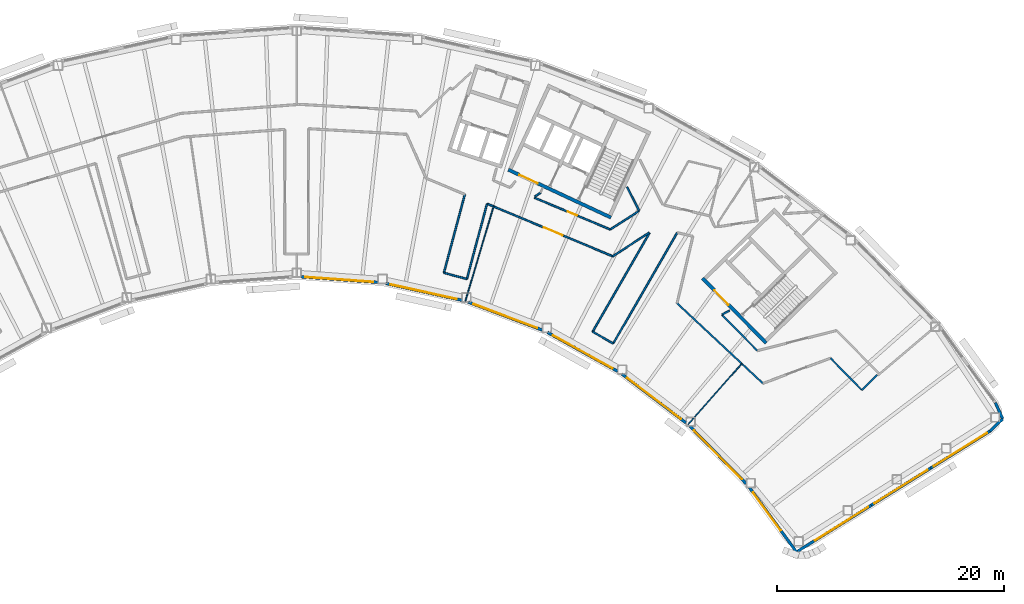
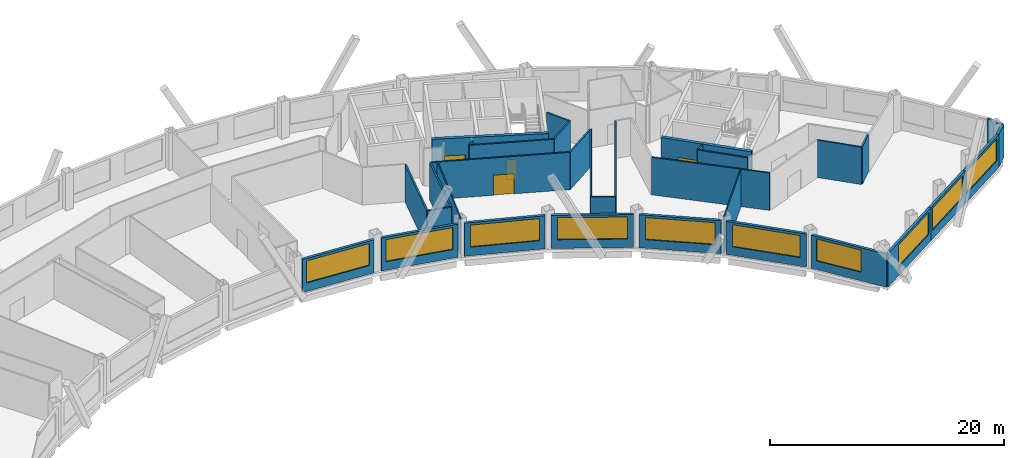
# One storey, part 7 of 13: 33 walls, 10 windows, 4 doors, 14 openings.
"""IFC4 building model written with IfcOpenShell, lengths in metres."""

from ifc_helpers import new_model, si_unit, direction, frame, frame_2d, origin, place, context, subcontext, project, spatial, rectangle, extrude, material, layer, layer_set, type_object, element, fill, save


model = new_model("IFC4")

# Units and contexts
model_context = context("Model", 3, precision=1e-05, world=origin(), true_north=direction((0.0, 1.0)))
body_context = subcontext(model_context, "Body", "Model", "MODEL_VIEW")
ifc_project = project(units=[si_unit("LENGTHUNIT", "METRE"), si_unit("AREAUNIT", "SQUARE_METRE"), si_unit("VOLUMEUNIT", "CUBIC_METRE"), si_unit("PLANEANGLEUNIT", "RADIAN"), si_unit("MASSUNIT", "GRAM", prefix="KILO")], contexts=[model_context])

# Site, building, storey
site_placement = place(None, origin())
site = spatial("IfcSite", under=ifc_project, at=site_placement, CompositionType="ELEMENT")
building_placement = place(site_placement, origin())
building = spatial("IfcBuilding", under=site, at=building_placement, Name="Tuul Gate Civic Tower", CompositionType="ELEMENT")
storey_placement = place(building_placement, frame((0.0, 0.0, 302.60009765625)))
storey = spatial("IfcBuildingStorey", under=building, at=storey_placement, Name="Level 68", CompositionType="ELEMENT", Elevation=302.60009765625)

# Wall, opening, door
ifc_material_1 = material(Name="Concrete C50/60", Category="concrete")
ifc_layer_1 = layer(ifc_material_1, 0.300048828125)
ifc_layer_set_1 = layer_set([ifc_layer_1], Name="Concrete C50/60")
wall_type_1 = type_object("IfcWallType", Name="Core wall C50/60", PredefinedType="SHEAR", material=ifc_layer_set_1)
wall_1_placement = place(storey_placement, frame((48.22509765625, -18.327880859375, 0.0), z_axis=(0.0, 0.0, 1.0), x_axis=(-0.700021979774, 0.714121297703, 0.0)))
wall_1 = element("IfcWall", 1, at=wall_1_placement, inside=storey, type_object=wall_type_1, Name="Core wall", PredefinedType="SHEAR", context=body_context, shape_type="SweptSolid", body=[
    extrude(rectangle(XDim=8.0, YDim=0.300048828125, at=frame_2d((4.0, 0.0))), origin(), (0.0, 0.0, 1.0), 3.89990234375),
])
opening_1_placement = place(wall_1_placement, frame((4.72509765625, 0.0, 0.0)))
opening_1 = element("IfcOpeningElement", 2, at=opening_1_placement, cuts=wall_1, Name="Opening LB-E1-LOBBY-1", PredefinedType="OPENING", context=body_context, shape_type="SweptSolid", body=[
    extrude(rectangle(XDim=1.800048828125, YDim=2.10009765625, at=frame_2d((0.89990234375, 1.050048828125))), frame((0.0, 0.16015625, 0.0), z_axis=(0.0, -1.0, 0.0), x_axis=(1.0, 0.0, 0.0)), (0.0, 0.0, 1.0), 0.320068359375),
])
ifc_material_2 = material(Name="Steel", Category="steel")
door_type_1 = type_object("IfcDoorType", Name="Lobby door", OperationType="DOUBLE_DOOR_SINGLE_SWING", PredefinedType="DOOR", material=ifc_material_2)
door_1_placement = place(opening_1_placement, frame((1.800048828125, 0.0, 0.0), z_axis=(0.0, 0.0, 1.0), x_axis=(-1.0, 0.0, 0.0)))
door_1 = element("IfcDoor", 3, at=door_1_placement, inside=storey, type_object=door_type_1, Name="Lobby door E1-LOBBY", OperationType="DOUBLE_DOOR_SINGLE_SWING", OverallHeight=2.10009765625, OverallWidth=1.800048828125, PredefinedType="DOOR", context=body_context, shape_type="SweptSolid", body=[
    extrude(rectangle(XDim=1.800048828125, YDim=2.10009765625, at=frame_2d((0.900146484375, 1.050048828125))), frame((0.0, 0.02490234375, 0.0), z_axis=(0.0, -1.0, 0.0), x_axis=(1.0, 0.0, 0.0)), (0.0, 0.0, 1.0), 0.050048828125),
])
fill(opening_1, door_1)

wall_2_placement = place(storey_placement, frame((34.5283203125, -7.25, 0.0), z_axis=(0.0, 0.0, 1.0), x_axis=(-0.906310338845, 0.422612789327, 0.0)))
wall_2 = element("IfcWall", 4, at=wall_2_placement, inside=storey, type_object=wall_type_1, Name="Core wall", PredefinedType="SHEAR", context=body_context, shape_type="SweptSolid", body=[
    extrude(rectangle(XDim=9.999755859375, YDim=0.300048828125, at=frame_2d((5.0, 0.0))), origin(), (0.0, 0.0, 1.0), 3.89990234375),
])
opening_2_placement = place(wall_2_placement, frame((7.125, 0.0, 0.0)))
opening_2 = element("IfcOpeningElement", 5, at=opening_2_placement, cuts=wall_2, Name="Opening LB-E3-LOBBY-1", PredefinedType="OPENING", context=body_context, shape_type="SweptSolid", body=[
    extrude(rectangle(XDim=1.800048828125, YDim=2.10009765625, at=frame_2d((0.89990234375, 1.050048828125))), frame((0.0, 0.16015625, 0.0), z_axis=(0.0, -1.0, 0.0), x_axis=(1.0, 0.0, 0.0)), (0.0, 0.0, 1.0), 0.320068359375),
])
door_2_placement = place(opening_2_placement, frame((1.800048828125, 0.0, 0.0), z_axis=(0.0, 0.0, 1.0), x_axis=(-1.0, 0.0, 0.0)))
door_2 = element("IfcDoor", 6, at=door_2_placement, inside=storey, type_object=door_type_1, Name="Lobby door E3-LOBBY", OperationType="DOUBLE_DOOR_SINGLE_SWING", OverallHeight=2.10009765625, OverallWidth=1.800048828125, PredefinedType="DOOR", context=body_context, shape_type="SweptSolid", body=[
    extrude(rectangle(XDim=1.800048828125, YDim=2.10009765625, at=frame_2d((0.900146484375, 1.050048828125))), frame((0.0, 0.02490234375, 0.0), z_axis=(0.0, -1.0, 0.0), x_axis=(1.0, 0.0, 0.0)), (0.0, 0.0, 1.0), 0.050048828125),
])
fill(opening_2, door_2)

# Walls
ifc_material_3 = material(Name="Gypsum board partition")
ifc_layer_2 = layer(ifc_material_3, 0.14990234375)
ifc_layer_set_2 = layer_set([ifc_layer_2], Name="Gypsum board partition")
wall_type_2 = type_object("IfcWallType", Name="Corridor wall P150", PredefinedType="PARTITIONING", material=ifc_layer_set_2)
wall_3_placement = place(storey_placement, frame((56.674072265625, -22.4814453125, 0.0), z_axis=(0.0, 0.0, 1.0), x_axis=(0.714103189213, 0.700040452514, 0.0)))
element("IfcWall", 7, at=wall_3_placement, inside=storey, type_object=wall_type_2, Name="p003", PredefinedType="PARTITIONING", context=body_context, shape_type="SweptSolid", body=[
    extrude(rectangle(XDim=1.892333984375, YDim=0.14990234375, at=frame_2d((0.9462890625, 0.0))), origin(), (0.0, 0.0, 1.0), 3.89990234375),
])
wall_4_placement = place(storey_placement, frame((44.332275390625, -15.8447265625, 0.0), z_axis=(0.0, 0.0, 1.0), x_axis=(0.702796621783, -0.711390826768, 0.0)))
element("IfcWall", 8, at=wall_4_placement, inside=storey, type_object=wall_type_2, Name="p006", PredefinedType="PARTITIONING", context=body_context, shape_type="SweptSolid", body=[
    extrude(rectangle(XDim=4.431640625, YDim=0.14990234375, at=frame_2d((2.2158203125, 0.0))), origin(), (0.0, 0.0, 1.0), 3.89990234375),
])
wall_5_placement = place(storey_placement, frame((44.33740234375, -15.8125, 0.0), z_axis=(0.0, 0.0, 1.0), x_axis=(0.885556049911, 0.464532541881, 0.0)))
element("IfcWall", 9, at=wall_5_placement, inside=storey, type_object=wall_type_2, Name="p007", PredefinedType="PARTITIONING", context=body_context, shape_type="SweptSolid", body=[
    extrude(rectangle(XDim=0.746337890625, YDim=0.14990234375, at=frame_2d((0.373046875, 0.0))), origin(), (0.0, 0.0, 1.0), 3.89990234375),
])

# Wall, opening, door
wall_6_placement = place(storey_placement, frame((27.77685546875, -5.503173828125, 0.0), z_axis=(0.0, 0.0, 1.0), x_axis=(0.922467775917, -0.386074089256, 0.0)))
wall_6 = element("IfcWall", 10, at=wall_6_placement, inside=storey, type_object=wall_type_2, Name="p025", PredefinedType="PARTITIONING", context=body_context, shape_type="SweptSolid", body=[
    extrude(rectangle(XDim=7.246826171875, YDim=0.14990234375, at=frame_2d((3.62353515625, 0.0))), origin(), (0.0, 0.0, 1.0), 3.89990234375),
])
opening_3_placement = place(wall_6_placement, frame((3.173583984375, 0.0, 0.0)))
opening_3 = element("IfcOpeningElement", 11, at=opening_3_placement, cuts=wall_6, Name="Opening Y-D14", PredefinedType="OPENING", context=body_context, shape_type="SweptSolid", body=[
    extrude(rectangle(XDim=0.89990234375, YDim=2.10009765625, at=frame_2d((0.449951171875, 1.050048828125))), frame((0.0, 0.0849609375, 0.0), z_axis=(0.0, -1.0, 0.0), x_axis=(1.0, 0.0, 0.0)), (0.0, 0.0, 1.0), 0.169921875),
])
ifc_material_4 = material(Name="Timber door leaf", Category="wood")
door_type_2 = type_object("IfcDoorType", Name="Door D09", OperationType="NOTDEFINED", PredefinedType="DOOR", material=ifc_material_4)
door_3_placement = place(opening_3_placement, origin())
door_3 = element("IfcDoor", 12, at=door_3_placement, inside=storey, type_object=door_type_2, Name="Door Y-D14", OperationType="SINGLE_SWING_RIGHT", OverallHeight=2.10009765625, OverallWidth=0.89990234375, PredefinedType="DOOR", context=body_context, shape_type="SweptSolid", body=[
    extrude(rectangle(XDim=0.89990234375, YDim=2.10009765625, at=frame_2d((0.449951171875, 1.050048828125))), frame((0.0, 0.02490234375, 0.0), z_axis=(0.0, -1.0, 0.0), x_axis=(1.0, 0.0, 0.0)), (0.0, 0.0, 1.0), 0.050048828125),
])
fill(opening_3, door_3)

# Walls
wall_7_placement = place(storey_placement, frame((21.8134765625, -12.67431640625, 0.0), z_axis=(0.0, 0.0, 1.0), x_axis=(0.258103384911, 0.966117302763, 0.0)))
element("IfcWall", 13, at=wall_7_placement, inside=storey, type_object=wall_type_2, Name="p026", PredefinedType="PARTITIONING", context=body_context, shape_type="SweptSolid", body=[
    extrude(rectangle(XDim=6.860595703125, YDim=0.14990234375, at=frame_2d((3.43017578125, 0.0))), origin(), (0.0, 0.0, 1.0), 3.89990234375),
])
wall_8_placement = place(storey_placement, frame((40.364501953125, -14.81640625, 0.0), z_axis=(0.0, 0.0, 1.0), x_axis=(0.731104600336, -0.682265390715, 0.0)))
element("IfcWall", 14, at=wall_8_placement, inside=storey, type_object=wall_type_2, Name="p049", PredefinedType="PARTITIONING", context=body_context, shape_type="SweptSolid", body=[
    extrude(rectangle(XDim=10.36767578125, YDim=0.14990234375, at=frame_2d((5.183837890625, 0.0))), origin(), (0.0, 0.0, 1.0), 3.89990234375),
])
wall_9_placement = place(storey_placement, frame((53.922119140625, -19.673828125, 0.0), z_axis=(0.0, 0.0, 1.0), x_axis=(0.69999193409, -0.714150748938, 0.0)))
element("IfcWall", 15, at=wall_9_placement, inside=storey, type_object=wall_type_2, Name="p051", PredefinedType="PARTITIONING", context=body_context, shape_type="SweptSolid", body=[
    extrude(rectangle(XDim=3.931396484375, YDim=0.14990234375, at=frame_2d((1.9658203125, 0.0))), origin(), (0.0, 0.0, 1.0), 3.89990234375),
])

# Wall, opening, door
wall_10_placement = place(storey_placement, frame((23.6083984375, -6.03515625, 0.0), z_axis=(0.0, 0.0, 1.0), x_axis=(0.922457832643, -0.3860978464, 0.0)))
wall_10 = element("IfcWall", 16, at=wall_10_placement, inside=storey, type_object=wall_type_2, Name="p054", PredefinedType="PARTITIONING", context=body_context, shape_type="SweptSolid", body=[
    extrude(rectangle(XDim=12.00537109375, YDim=0.14990234375, at=frame_2d((6.002685546875, 0.0))), origin(), (0.0, 0.0, 1.0), 3.89990234375),
])
opening_4_placement = place(wall_10_placement, frame((5.40478515625, 0.0, 0.0)))
opening_4 = element("IfcOpeningElement", 17, at=opening_4_placement, cuts=wall_10, Name="Opening Y-D08", PredefinedType="OPENING", context=body_context, shape_type="SweptSolid", body=[
    extrude(rectangle(XDim=1.800048828125, YDim=2.10009765625, at=frame_2d((0.89990234375, 1.050048828125))), frame((0.0, 0.0849609375, 0.0), z_axis=(0.0, -1.0, 0.0), x_axis=(1.0, 0.0, 0.0)), (0.0, 0.0, 1.0), 0.169921875),
])
ifc_material_5 = material(Name="Timber door leaf, double", Category="wood")
door_type_3 = type_object("IfcDoorType", Name="Door D18", OperationType="DOUBLE_DOOR_SINGLE_SWING", PredefinedType="DOOR", material=ifc_material_5)
door_4_placement = place(opening_4_placement, frame((1.800048828125, 0.0, 0.0), z_axis=(0.0, 0.0, 1.0), x_axis=(-1.0, 0.0, 0.0)))
door_4 = element("IfcDoor", 18, at=door_4_placement, inside=storey, type_object=door_type_3, Name="Door Y-D08", OperationType="DOUBLE_DOOR_SINGLE_SWING", OverallHeight=2.10009765625, OverallWidth=1.800048828125, PredefinedType="DOOR", context=body_context, shape_type="SweptSolid", body=[
    extrude(rectangle(XDim=1.800048828125, YDim=2.10009765625, at=frame_2d((0.900146484375, 1.050048828125))), frame((0.0, 0.02490234375, 0.0), z_axis=(0.0, -1.0, 0.0), x_axis=(1.0, 0.0, 0.0)), (0.0, 0.0, 1.0), 0.050048828125),
])
fill(opening_4, door_4)

# Walls
wall_11_placement = place(storey_placement, frame((34.682861328125, -10.67041015625, 0.0), z_axis=(0.0, 0.0, 1.0), x_axis=(0.83959569175, 0.543211813563, 0.0)))
element("IfcWall", 19, at=wall_11_placement, inside=storey, type_object=wall_type_2, Name="p055", PredefinedType="PARTITIONING", context=body_context, shape_type="SweptSolid", body=[
    extrude(rectangle(XDim=3.84765625, YDim=0.14990234375, at=frame_2d((1.923828125, 0.0))), origin(), (0.0, 0.0, 1.0), 3.89990234375),
])
wall_12_placement = place(storey_placement, frame((32.91064453125, -17.321533203125, 0.0), z_axis=(0.0, 0.0, 1.0), x_axis=(0.500011588718, 0.866018712932, 0.0)))
element("IfcWall", 20, at=wall_12_placement, inside=storey, type_object=wall_type_2, Name="p056", PredefinedType="PARTITIONING", context=body_context, shape_type="SweptSolid", body=[
    extrude(rectangle(XDim=10.062255859375, YDim=0.14990234375, at=frame_2d((5.03125, 0.0))), origin(), (0.0, 0.0, 1.0), 3.89990234375),
])
wall_13_placement = place(storey_placement, frame((32.91064453125, -17.321533203125, 0.0), z_axis=(0.0, 0.0, 1.0), x_axis=(0.866009402589, -0.500027713859, 0.0)))
element("IfcWall", 21, at=wall_13_placement, inside=storey, type_object=wall_type_2, Name="p057", PredefinedType="PARTITIONING", context=body_context, shape_type="SweptSolid", body=[
    extrude(rectangle(XDim=2.10009765625, YDim=0.14990234375, at=frame_2d((1.050048828125, 0.0))), origin(), (0.0, 0.0, 1.0), 3.89990234375),
])
wall_14_placement = place(storey_placement, frame((34.729248046875, -18.37158203125, 0.0), z_axis=(0.0, 0.0, 1.0), x_axis=(0.500001973998, 0.866024264093, 0.0)))
element("IfcWall", 22, at=wall_14_placement, inside=storey, type_object=wall_type_2, Name="p058", PredefinedType="PARTITIONING", context=body_context, shape_type="SweptSolid", body=[
    extrude(rectangle(XDim=11.29052734375, YDim=0.14990234375, at=frame_2d((5.645263671875, 0.0))), origin(), (0.0, 0.0, 1.0), 3.89990234375),
])
wall_15_placement = place(storey_placement, frame((19.778564453125, -12.129150390625, 0.0), z_axis=(0.0, 0.0, 1.0), x_axis=(0.258825441171, 0.965924112445, 0.0)))
element("IfcWall", 23, at=wall_15_placement, inside=storey, type_object=wall_type_2, Name="p064", PredefinedType="PARTITIONING", context=body_context, shape_type="SweptSolid", body=[
    extrude(rectangle(XDim=7.147216796875, YDim=0.14990234375, at=frame_2d((3.57373046875, 0.0))), origin(), (0.0, 0.0, 1.0), 3.89990234375),
])
wall_16_placement = place(storey_placement, frame((19.778564453125, -12.129150390625, 0.0), z_axis=(0.0, 0.0, 1.0), x_axis=(0.965937155273, -0.258776761059, 0.0)))
element("IfcWall", 24, at=wall_16_placement, inside=storey, type_object=wall_type_2, Name="p065", PredefinedType="PARTITIONING", context=body_context, shape_type="SweptSolid", body=[
    extrude(rectangle(XDim=2.10009765625, YDim=0.14990234375, at=frame_2d((1.050048828125, 0.0))), origin(), (0.0, 0.0, 1.0), 3.89990234375),
])
wall_17_placement = place(storey_placement, frame((35.94970703125, -4.557861328125, 0.0), z_axis=(0.0, 0.0, 1.0), x_axis=(0.453925781419, -0.891039496859, 0.0)))
element("IfcWall", 25, at=wall_17_placement, inside=storey, type_object=wall_type_2, Name="p088", PredefinedType="PARTITIONING", context=body_context, shape_type="SweptSolid", body=[
    extrude(rectangle(XDim=2.337890625, YDim=0.14990234375, at=frame_2d((1.1689453125, 0.0))), origin(), (0.0, 0.0, 1.0), 3.89990234375),
])
wall_18_placement = place(storey_placement, frame((34.481201171875, -8.299560546875, 0.0), z_axis=(0.0, 0.0, 1.0), x_axis=(0.839622479522, 0.543170407774, 0.0)))
element("IfcWall", 26, at=wall_18_placement, inside=storey, type_object=wall_type_2, Name="p089", PredefinedType="PARTITIONING", context=body_context, shape_type="SweptSolid", body=[
    extrude(rectangle(XDim=3.00439453125, YDim=0.14990234375, at=frame_2d((1.502197265625, 0.0))), origin(), (0.0, 0.0, 1.0), 3.89990234375),
])
wall_19_placement = place(storey_placement, frame((27.80029296875, -5.403564453125, 0.0), z_axis=(0.0, 0.0, 1.0), x_axis=(0.823307729959, 0.567595262304, 0.0)))
element("IfcWall", 27, at=wall_19_placement, inside=storey, type_object=wall_type_2, Name="p090", PredefinedType="PARTITIONING", context=body_context, shape_type="SweptSolid", body=[
    extrude(rectangle(XDim=0.62158203125, YDim=0.14990234375, at=frame_2d((0.310791015625, 0.0))), origin(), (0.0, 0.0, 1.0), 3.89990234375),
])
ifc_material_6 = material(Name="Precast concrete C40/50", Category="concrete")
ifc_layer_3 = layer(ifc_material_6, 0.25)
ifc_layer_set_3 = layer_set([ifc_layer_3], Name="Precast concrete C40/50")
wall_type_3 = type_object("IfcWallType", Name="External wall", PredefinedType="STANDARD", material=ifc_layer_set_3)
wall_20_placement = place(storey_placement, frame((67.978515625, -26.109619140625, 0.0), z_axis=(0.0, 0.0, 1.0), x_axis=(0.722172557321, 0.691712944402, 0.0)))
element("IfcWall", 28, at=wall_20_placement, inside=storey, type_object=wall_type_3, Name="External wall", PredefinedType="STANDARD", context=body_context, shape_type="SweptSolid", body=[
    extrude(rectangle(XDim=1.571044921875, YDim=0.25, at=frame_2d((0.78564453125, 0.0))), origin(), (0.0, 0.0, 1.0), 3.449951171875),
])
wall_21_placement = place(storey_placement, frame((69.113037109375, -25.02294921875, 0.0), z_axis=(0.0, 0.0, 1.0), x_axis=(-0.412385905797, 0.9110092561, 0.0)))
element("IfcWall", 29, at=wall_21_placement, inside=storey, type_object=wall_type_3, Name="External wall", PredefinedType="STANDARD", context=body_context, shape_type="SweptSolid", body=[
    extrude(rectangle(XDim=1.5712890625, YDim=0.25, at=frame_2d((0.78564453125, 0.0))), origin(), (0.0, 0.0, 1.0), 3.449951171875),
])

# Wall, opening, window
wall_22_placement = place(storey_placement, frame((7.18798828125, -12.478759765625, 0.0), z_axis=(0.0, 0.0, 1.0), x_axis=(0.997384795983, -0.072274260578, 0.0)))
wall_22 = element("IfcWall", 30, at=wall_22_placement, inside=storey, type_object=wall_type_3, Name="External wall", PredefinedType="STANDARD", context=body_context, shape_type="SweptSolid", body=[
    extrude(rectangle(XDim=6.789794921875, YDim=0.25, at=frame_2d((3.39501953125, 0.0))), origin(), (0.0, 0.0, 1.0), 3.449951171875),
])
opening_5_placement = place(wall_22_placement, frame((0.371337890625, 0.0, 0.89990234375)))
opening_5 = element("IfcOpeningElement", 31, at=opening_5_placement, cuts=wall_22, Name="Opening W26", PredefinedType="OPENING", context=body_context, shape_type="SweptSolid", body=[
    extrude(rectangle(XDim=6.0, YDim=2.300048828125, at=frame_2d((3.0, 1.14990234375))), frame((0.0, 0.135009765625, 0.0), z_axis=(0.0, -1.0, 0.0), x_axis=(1.0, 0.0, 0.0)), (0.0, 0.0, 1.0), 0.27001953125),
])
ifc_material_7 = material(Name="Glass", Category="glass")
window_type_1 = type_object("IfcWindowType", Name="Window W26 6000 x 2300", PartitioningType="SINGLE_PANEL", PredefinedType="WINDOW", material=ifc_material_7)
window_1_placement = place(opening_5_placement, origin())
window_1 = element("IfcWindow", 32, at=window_1_placement, inside=storey, type_object=window_type_1, Name="Window", OverallHeight=2.300048828125, OverallWidth=6.0, PartitioningType="SINGLE_PANEL", PredefinedType="WINDOW", context=body_context, shape_type="SweptSolid", body=[
    extrude(rectangle(XDim=6.0, YDim=2.300048828125, at=frame_2d((3.0, 1.14990234375))), frame((0.0, 0.030029296875, 0.0), z_axis=(0.0, -1.0, 0.0), x_axis=(1.0, 0.0, 0.0)), (0.0, 0.0, 1.0), 0.06005859375),
])
fill(opening_5, window_1)

wall_23_placement = place(storey_placement, frame((14.6669921875, -13.072998046875, 0.0), z_axis=(0.0, 0.0, 1.0), x_axis=(0.976561146318, -0.215240162382, 0.0)))
wall_23 = element("IfcWall", 33, at=wall_23_placement, inside=storey, type_object=wall_type_3, Name="External wall", PredefinedType="STANDARD", context=body_context, shape_type="SweptSolid", body=[
    extrude(rectangle(XDim=6.867919921875, YDim=0.25, at=frame_2d((3.43408203125, 0.0))), origin(), (0.0, 0.0, 1.0), 3.449951171875),
])
opening_6_placement = place(wall_23_placement, frame((0.409912109375, 0.0, 0.89990234375)))
opening_6 = element("IfcOpeningElement", 34, at=opening_6_placement, cuts=wall_23, Name="Opening W26", PredefinedType="OPENING", context=body_context, shape_type="SweptSolid", body=[
    extrude(rectangle(XDim=6.0, YDim=2.300048828125, at=frame_2d((3.0, 1.14990234375))), frame((0.0, 0.135009765625, 0.0), z_axis=(0.0, -1.0, 0.0), x_axis=(1.0, 0.0, 0.0)), (0.0, 0.0, 1.0), 0.27001953125),
])
window_2_placement = place(opening_6_placement, origin())
window_2 = element("IfcWindow", 35, at=window_2_placement, inside=storey, type_object=window_type_1, Name="Window", OverallHeight=2.300048828125, OverallWidth=6.0, PartitioningType="SINGLE_PANEL", PredefinedType="WINDOW", context=body_context, shape_type="SweptSolid", body=[
    extrude(rectangle(XDim=6.0, YDim=2.300048828125, at=frame_2d((3.0, 1.14990234375))), frame((0.0, 0.030029296875, 0.0), z_axis=(0.0, -1.0, 0.0), x_axis=(1.0, 0.0, 0.0)), (0.0, 0.0, 1.0), 0.06005859375),
])
fill(opening_6, window_2)

wall_24_placement = place(storey_placement, frame((21.913818359375, -14.70703125, 0.0), z_axis=(0.0, 0.0, 1.0), x_axis=(0.93536593895, -0.353681438943, 0.0)))
wall_24 = element("IfcWall", 36, at=wall_24_placement, inside=storey, type_object=wall_type_3, Name="External wall", PredefinedType="STANDARD", context=body_context, shape_type="SweptSolid", body=[
    extrude(rectangle(XDim=7.0146484375, YDim=0.25, at=frame_2d((3.50732421875, 0.0))), origin(), (0.0, 0.0, 1.0), 3.449951171875),
])
opening_7_placement = place(wall_24_placement, frame((0.523193359375, 0.0, 0.89990234375)))
opening_7 = element("IfcOpeningElement", 37, at=opening_7_placement, cuts=wall_24, Name="Opening W26", PredefinedType="OPENING", context=body_context, shape_type="SweptSolid", body=[
    extrude(rectangle(XDim=6.0, YDim=2.300048828125, at=frame_2d((3.0, 1.14990234375))), frame((0.0, 0.135009765625, 0.0), z_axis=(0.0, -1.0, 0.0), x_axis=(1.0, 0.0, 0.0)), (0.0, 0.0, 1.0), 0.27001953125),
])
window_3_placement = place(opening_7_placement, origin())
window_3 = element("IfcWindow", 38, at=window_3_placement, inside=storey, type_object=window_type_1, Name="Window", OverallHeight=2.300048828125, OverallWidth=6.0, PartitioningType="SINGLE_PANEL", PredefinedType="WINDOW", context=body_context, shape_type="SweptSolid", body=[
    extrude(rectangle(XDim=6.0, YDim=2.300048828125, at=frame_2d((3.0, 1.14990234375))), frame((0.0, 0.030029296875, 0.0), z_axis=(0.0, -1.0, 0.0), x_axis=(1.0, 0.0, 0.0)), (0.0, 0.0, 1.0), 0.06005859375),
])
fill(opening_7, window_3)

wall_25_placement = place(storey_placement, frame((28.926513671875, -17.39208984375, 0.0), z_axis=(0.0, 0.0, 1.0), x_axis=(0.874628863521, -0.484793101328, 0.0)))
wall_25 = element("IfcWall", 39, at=wall_25_placement, inside=storey, type_object=wall_type_3, Name="External wall", PredefinedType="STANDARD", context=body_context, shape_type="SweptSolid", body=[
    extrude(rectangle(XDim=7.075439453125, YDim=0.25, at=frame_2d((3.53759765625, 0.0))), origin(), (0.0, 0.0, 1.0), 3.449951171875),
])
opening_8_placement = place(wall_25_placement, frame((0.556396484375, 0.0, 0.89990234375)))
opening_8 = element("IfcOpeningElement", 40, at=opening_8_placement, cuts=wall_25, Name="Opening W26", PredefinedType="OPENING", context=body_context, shape_type="SweptSolid", body=[
    extrude(rectangle(XDim=6.0, YDim=2.300048828125, at=frame_2d((3.0, 1.14990234375))), frame((0.0, 0.135009765625, 0.0), z_axis=(0.0, -1.0, 0.0), x_axis=(1.0, 0.0, 0.0)), (0.0, 0.0, 1.0), 0.27001953125),
])
window_4_placement = place(opening_8_placement, origin())
window_4 = element("IfcWindow", 41, at=window_4_placement, inside=storey, type_object=window_type_1, Name="Window", OverallHeight=2.300048828125, OverallWidth=6.0, PartitioningType="SINGLE_PANEL", PredefinedType="WINDOW", context=body_context, shape_type="SweptSolid", body=[
    extrude(rectangle(XDim=6.0, YDim=2.300048828125, at=frame_2d((3.0, 1.14990234375))), frame((0.0, 0.030029296875, 0.0), z_axis=(0.0, -1.0, 0.0), x_axis=(1.0, 0.0, 0.0)), (0.0, 0.0, 1.0), 0.06005859375),
])
fill(opening_8, window_4)

wall_26_placement = place(storey_placement, frame((35.503173828125, -21.072021484375, 0.0), z_axis=(0.0, 0.0, 1.0), x_axis=(0.795582375141, -0.605845429433, 0.0)))
wall_26 = element("IfcWall", 42, at=wall_26_placement, inside=storey, type_object=wall_type_3, Name="External wall", PredefinedType="STANDARD", context=body_context, shape_type="SweptSolid", body=[
    extrude(rectangle(XDim=7.10400390625, YDim=0.25, at=frame_2d((3.552001953125, 0.0))), origin(), (0.0, 0.0, 1.0), 3.449951171875),
])
opening_9_placement = place(wall_26_placement, frame((0.562744140625, 0.0, 0.89990234375)))
opening_9 = element("IfcOpeningElement", 43, at=opening_9_placement, cuts=wall_26, Name="Opening W26", PredefinedType="OPENING", context=body_context, shape_type="SweptSolid", body=[
    extrude(rectangle(XDim=6.0, YDim=2.300048828125, at=frame_2d((3.0, 1.14990234375))), frame((0.0, 0.135009765625, 0.0), z_axis=(0.0, -1.0, 0.0), x_axis=(1.0, 0.0, 0.0)), (0.0, 0.0, 1.0), 0.27001953125),
])
window_5_placement = place(opening_9_placement, origin())
window_5 = element("IfcWindow", 44, at=window_5_placement, inside=storey, type_object=window_type_1, Name="Window", OverallHeight=2.300048828125, OverallWidth=6.0, PartitioningType="SINGLE_PANEL", PredefinedType="WINDOW", context=body_context, shape_type="SweptSolid", body=[
    extrude(rectangle(XDim=6.0, YDim=2.300048828125, at=frame_2d((3.0, 1.14990234375))), frame((0.0, 0.030029296875, 0.0), z_axis=(0.0, -1.0, 0.0), x_axis=(1.0, 0.0, 0.0)), (0.0, 0.0, 1.0), 0.06005859375),
])
fill(opening_9, window_5)

wall_27_placement = place(storey_placement, frame((41.49072265625, -25.6708984375, 0.0), z_axis=(0.0, 0.0, 1.0), x_axis=(0.700033997015, -0.714109517528, 0.0)))
wall_27 = element("IfcWall", 45, at=wall_27_placement, inside=storey, type_object=wall_type_3, Name="External wall", PredefinedType="STANDARD", context=body_context, shape_type="SweptSolid", body=[
    extrude(rectangle(XDim=7.111572265625, YDim=0.25, at=frame_2d((3.5556640625, 0.0))), origin(), (0.0, 0.0, 1.0), 3.449951171875),
])
opening_10_placement = place(wall_27_placement, frame((0.555419921875, 0.0, 0.89990234375)))
opening_10 = element("IfcOpeningElement", 46, at=opening_10_placement, cuts=wall_27, Name="Opening W26", PredefinedType="OPENING", context=body_context, shape_type="SweptSolid", body=[
    extrude(rectangle(XDim=6.0, YDim=2.300048828125, at=frame_2d((3.0, 1.14990234375))), frame((0.0, 0.135009765625, 0.0), z_axis=(0.0, -1.0, 0.0), x_axis=(1.0, 0.0, 0.0)), (0.0, 0.0, 1.0), 0.27001953125),
])
window_6_placement = place(opening_10_placement, origin())
window_6 = element("IfcWindow", 47, at=window_6_placement, inside=storey, type_object=window_type_1, Name="Window", OverallHeight=2.300048828125, OverallWidth=6.0, PartitioningType="SINGLE_PANEL", PredefinedType="WINDOW", context=body_context, shape_type="SweptSolid", body=[
    extrude(rectangle(XDim=6.0, YDim=2.300048828125, at=frame_2d((3.0, 1.14990234375))), frame((0.0, 0.030029296875, 0.0), z_axis=(0.0, -1.0, 0.0), x_axis=(1.0, 0.0, 0.0)), (0.0, 0.0, 1.0), 0.06005859375),
])
fill(opening_10, window_6)

wall_28_placement = place(storey_placement, frame((46.7587890625, -31.093017578125, 0.0), z_axis=(0.0, 0.0, 1.0), x_axis=(0.589839929294, -0.807520190343, 0.0)))
wall_28 = element("IfcWall", 48, at=wall_28_placement, inside=storey, type_object=wall_type_3, Name="External wall", PredefinedType="STANDARD", context=body_context, shape_type="SweptSolid", body=[
    extrude(rectangle(XDim=7.034423828125, YDim=0.25, at=frame_2d((3.51708984375, 0.0))), origin(), (0.0, 0.0, 1.0), 3.449951171875),
])
opening_11_placement = place(wall_28_placement, frame((0.52783203125, 0.0, 0.89990234375)))
opening_11 = element("IfcOpeningElement", 49, at=opening_11_placement, cuts=wall_28, Name="Opening W25", PredefinedType="OPENING", context=body_context, shape_type="SweptSolid", body=[
    extrude(rectangle(XDim=4.14990234375, YDim=2.300048828125, at=frame_2d((2.074951171875, 1.14990234375))), frame((0.0, 0.135009765625, 0.0), z_axis=(0.0, -1.0, 0.0), x_axis=(1.0, 0.0, 0.0)), (0.0, 0.0, 1.0), 0.27001953125),
])
ifc_material_8 = material(Name="Glass", Category="glass")
window_type_2 = type_object("IfcWindowType", Name="Window W25 4150 x 2300", PartitioningType="SINGLE_PANEL", PredefinedType="WINDOW", material=ifc_material_8)
window_7_placement = place(opening_11_placement, origin())
window_7 = element("IfcWindow", 50, at=window_7_placement, inside=storey, type_object=window_type_2, Name="Window", OverallHeight=2.300048828125, OverallWidth=4.14990234375, PartitioningType="SINGLE_PANEL", PredefinedType="WINDOW", context=body_context, shape_type="SweptSolid", body=[
    extrude(rectangle(XDim=4.14990234375, YDim=2.300048828125, at=frame_2d((2.074951171875, 1.14990234375))), frame((0.0, 0.030029296875, 0.0), z_axis=(0.0, -1.0, 0.0), x_axis=(1.0, 0.0, 0.0)), (0.0, 0.0, 1.0), 0.06005859375),
])
fill(opening_11, window_7)

wall_29_placement = place(storey_placement, frame((50.907958984375, -36.7734375, 0.0), z_axis=(0.0, 0.0, 1.0), x_axis=(0.848052898081, 0.529911579471, 0.0)))
wall_29 = element("IfcWall", 51, at=wall_29_placement, inside=storey, type_object=wall_type_3, Name="External wall", PredefinedType="STANDARD", context=body_context, shape_type="SweptSolid", body=[
    extrude(rectangle(XDim=7.78759765625, YDim=0.25, at=frame_2d((3.893798828125, 0.0))), origin(), (0.0, 0.0, 1.0), 3.449951171875),
])
opening_12_placement = place(wall_29_placement, frame((1.921142578125, 0.0, 0.89990234375)))
opening_12 = element("IfcOpeningElement", 52, at=opening_12_placement, cuts=wall_29, Name="Opening W24", PredefinedType="OPENING", context=body_context, shape_type="SweptSolid", body=[
    extrude(rectangle(XDim=5.550048828125, YDim=2.300048828125, at=frame_2d((2.77490234375, 1.14990234375))), frame((0.0, 0.135009765625, 0.0), z_axis=(0.0, -1.0, 0.0), x_axis=(1.0, 0.0, 0.0)), (0.0, 0.0, 1.0), 0.27001953125),
])
ifc_material_9 = material(Name="Glass", Category="glass")
window_type_3 = type_object("IfcWindowType", Name="Window W24 5550 x 2300", PartitioningType="SINGLE_PANEL", PredefinedType="WINDOW", material=ifc_material_9)
window_8_placement = place(opening_12_placement, origin())
window_8 = element("IfcWindow", 53, at=window_8_placement, inside=storey, type_object=window_type_3, Name="Window", OverallHeight=2.300048828125, OverallWidth=5.550048828125, PartitioningType="SINGLE_PANEL", PredefinedType="WINDOW", context=body_context, shape_type="SweptSolid", body=[
    extrude(rectangle(XDim=5.550048828125, YDim=2.300048828125, at=frame_2d((2.77490234375, 1.14990234375))), frame((0.0, 0.030029296875, 0.0), z_axis=(0.0, -1.0, 0.0), x_axis=(1.0, 0.0, 0.0)), (0.0, 0.0, 1.0), 0.06005859375),
])
fill(opening_12, window_8)

wall_30_placement = place(storey_placement, frame((57.51220703125, -32.646728515625, 0.0), z_axis=(0.0, 0.0, 1.0), x_axis=(0.848042669488, 0.529927948619, 0.0)))
wall_30 = element("IfcWall", 54, at=wall_30_placement, inside=storey, type_object=wall_type_3, Name="External wall", PredefinedType="STANDARD", context=body_context, shape_type="SweptSolid", body=[
    extrude(rectangle(XDim=6.1826171875, YDim=0.25, at=frame_2d((3.09130859375, 0.0))), origin(), (0.0, 0.0, 1.0), 3.449951171875),
])
opening_13_placement = place(wall_30_placement, frame((0.31640625, 0.0, 0.89990234375)))
opening_13 = element("IfcOpeningElement", 55, at=opening_13_placement, cuts=wall_30, Name="Opening W24", PredefinedType="OPENING", context=body_context, shape_type="SweptSolid", body=[
    extrude(rectangle(XDim=5.550048828125, YDim=2.300048828125, at=frame_2d((2.77490234375, 1.14990234375))), frame((0.0, 0.135009765625, 0.0), z_axis=(0.0, -1.0, 0.0), x_axis=(1.0, 0.0, 0.0)), (0.0, 0.0, 1.0), 0.27001953125),
])
window_9_placement = place(opening_13_placement, origin())
window_9 = element("IfcWindow", 56, at=window_9_placement, inside=storey, type_object=window_type_3, Name="Window", OverallHeight=2.300048828125, OverallWidth=5.550048828125, PartitioningType="SINGLE_PANEL", PredefinedType="WINDOW", context=body_context, shape_type="SweptSolid", body=[
    extrude(rectangle(XDim=5.550048828125, YDim=2.300048828125, at=frame_2d((2.77490234375, 1.14990234375))), frame((0.0, 0.030029296875, 0.0), z_axis=(0.0, -1.0, 0.0), x_axis=(1.0, 0.0, 0.0)), (0.0, 0.0, 1.0), 0.06005859375),
])
fill(opening_13, window_9)

wall_31_placement = place(storey_placement, frame((62.75537109375, -29.370361328125, 0.0), z_axis=(0.0, 0.0, 1.0), x_axis=(0.848053758074, 0.529910203164, 0.0)))
wall_31 = element("IfcWall", 57, at=wall_31_placement, inside=storey, type_object=wall_type_3, Name="External wall", PredefinedType="STANDARD", context=body_context, shape_type="SweptSolid", body=[
    extrude(rectangle(XDim=6.182861328125, YDim=0.25, at=frame_2d((3.09130859375, 0.0))), origin(), (0.0, 0.0, 1.0), 3.449951171875),
])
opening_14_placement = place(wall_31_placement, frame((0.31640625, 0.0, 0.89990234375)))
opening_14 = element("IfcOpeningElement", 58, at=opening_14_placement, cuts=wall_31, Name="Opening W24", PredefinedType="OPENING", context=body_context, shape_type="SweptSolid", body=[
    extrude(rectangle(XDim=5.550048828125, YDim=2.300048828125, at=frame_2d((2.77490234375, 1.14990234375))), frame((0.0, 0.135009765625, 0.0), z_axis=(0.0, -1.0, 0.0), x_axis=(1.0, 0.0, 0.0)), (0.0, 0.0, 1.0), 0.27001953125),
])
window_10_placement = place(opening_14_placement, origin())
window_10 = element("IfcWindow", 59, at=window_10_placement, inside=storey, type_object=window_type_3, Name="Window", OverallHeight=2.300048828125, OverallWidth=5.550048828125, PartitioningType="SINGLE_PANEL", PredefinedType="WINDOW", context=body_context, shape_type="SweptSolid", body=[
    extrude(rectangle(XDim=5.550048828125, YDim=2.300048828125, at=frame_2d((2.77490234375, 1.14990234375))), frame((0.0, 0.030029296875, 0.0), z_axis=(0.0, -1.0, 0.0), x_axis=(1.0, 0.0, 0.0)), (0.0, 0.0, 1.0), 0.06005859375),
])
fill(opening_14, window_10)

# Walls
ifc_material_10 = material(Name="Gypsum board partition")
ifc_layer_4 = layer(ifc_material_10, 0.10009765625)
ifc_layer_set_4 = layer_set([ifc_layer_4], Name="Gypsum board partition")
wall_type_4 = type_object("IfcWallType", Name="Partition P100", PredefinedType="PARTITIONING", material=ifc_layer_set_4)
wall_32_placement = place(storey_placement, frame((41.335693359375, -25.52001953125, 0.0), z_axis=(0.0, 0.0, 1.0), x_axis=(0.661661076471, 0.749803054063, 0.0)))
element("IfcWall", 60, at=wall_32_placement, inside=storey, type_object=wall_type_4, Name="p048", PredefinedType="PARTITIONING", context=body_context, shape_type="SweptSolid", body=[
    extrude(rectangle(XDim=7.16552734375, YDim=0.10009765625, at=frame_2d((3.582763671875, 0.0))), origin(), (0.0, 0.0, 1.0), 3.89990234375),
])
wall_33_placement = place(storey_placement, frame((21.679443359375, -14.623779296875, 0.0), z_axis=(0.0, 0.0, 1.0), x_axis=(0.285209491324, 0.958465203364, 0.0)))
element("IfcWall", 61, at=wall_33_placement, inside=storey, type_object=wall_type_4, Name="p052", PredefinedType="PARTITIONING", context=body_context, shape_type="SweptSolid", body=[
    extrude(rectangle(XDim=8.717529296875, YDim=0.10009765625, at=frame_2d((4.35888671875, 0.0))), origin(), (0.0, 0.0, 1.0), 3.89990234375),
])

save(model, "model.ifc")
